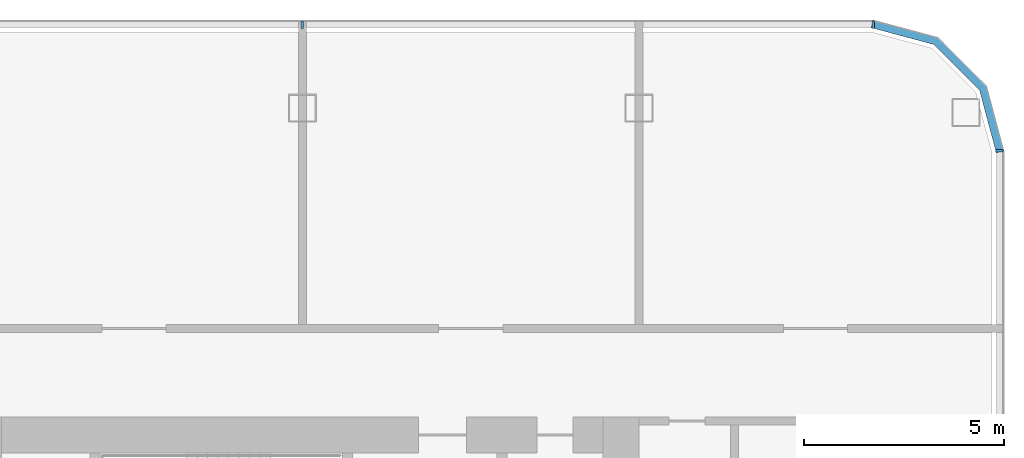
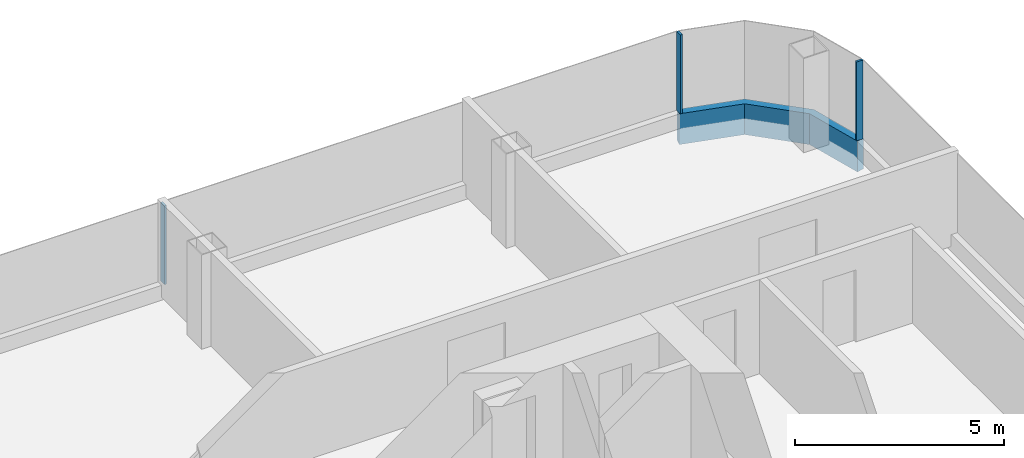
# One storey, part 10 of 26: 4 members, 3 elements without a shape of their own.
"""IFC4 building model written with IfcOpenShell, lengths in metres."""

from ifc_helpers import new_model, si_unit, direction, frame, origin, origin_2d, place, context, subcontext, project, spatial, polyline, rectangle, outline, extrude, material, layer, layer_set, material_profile, profile_set, type_object, element, aggregate, save


model = new_model("IFC4")

# Units and contexts
model_context = context("Model", 3, precision=1e-05, world=origin(), true_north=direction((0.0, 1.0)))
body_context = subcontext(model_context, "Body", "Model", "MODEL_VIEW")
ifc_project = project(units=[si_unit("LENGTHUNIT", "METRE"), si_unit("AREAUNIT", "SQUARE_METRE"), si_unit("VOLUMEUNIT", "CUBIC_METRE"), si_unit("PLANEANGLEUNIT", "RADIAN"), si_unit("MASSUNIT", "GRAM", prefix="KILO")], contexts=[model_context])

# Site, building, storey
site_placement = place(None, origin())
site = spatial("IfcSite", under=ifc_project, at=site_placement, CompositionType="ELEMENT")
building_placement = place(site_placement, origin())
building = spatial("IfcBuilding", under=site, at=building_placement, Name="Hakoniwa Tower and Hamabe Station Hall", CompositionType="ELEMENT")
storey_placement = place(building_placement, frame((0.0, 0.0, 140.60009765625)))
storey = spatial("IfcBuildingStorey", under=building, at=storey_placement, Name="L39", CompositionType="ELEMENT", Elevation=140.60009765625)

# Curtain wall, member
ifc_material_1 = material(Name="Dark low-e laminated glass", Category="glass")
ifc_layer = layer(ifc_material_1, 0.199951171875)
ifc_layer_set = layer_set([ifc_layer], Name="CW-1 UNITISED GUEST")
curtain_wall_type = type_object("IfcCurtainWallType", Name="CW-1 UNITISED GUEST", PredefinedType="NOTDEFINED", material=ifc_layer_set)
curtain_wall_1_placement = place(storey_placement, origin())
curtain_wall_1 = element("IfcCurtainWall", 1, at=curtain_wall_1_placement, inside=storey, type_object=curtain_wall_type, Name="CW-1 curtain wall", PredefinedType="NOTDEFINED")
ifc_material_2 = material(Name="Aluminium 6063-T5 black anodised", Category="aluminium")
ifc_material_profile_1 = material_profile(ifc_material_2, rectangle(XDim=0.199951171875, YDim=0.89990234375, at=origin_2d()), Name="CW SLAB-EDGE BAND 900X200")
ifc_profile_set_1 = profile_set([ifc_material_profile_1], Name="Aluminium 6063-T5 black anodised")
member_type_1 = type_object("IfcMemberType", Name="CW SLAB-EDGE BAND 900X200", PredefinedType="USERDEFINED", material=ifc_profile_set_1)
member_1_placement = place(storey_placement, frame((0.0, 0.0, -0.550048828125)))
member_1 = element("IfcMember", 2, at=member_1_placement, type_object=member_type_1, Name="CW-1 transom", ObjectType="TRANSOM", PredefinedType="USERDEFINED", context=body_context, shape_type="SweptSolid", body=[
    extrude(outline(polyline([(42.699951171875, 15.03955078125), (42.26708984375, 16.6552734375), (41.05517578125, 17.866943359375), (39.439453125, 18.300048828125), (39.3876953125, 18.10693359375), (40.95166015625, 17.687744140625), (42.087646484375, 16.5517578125), (42.5068359375, 14.98779296875), (42.699951171875, 15.03955078125)])), origin(), (0.0, 0.0, 1.0), 0.89990234375),
])
aggregate(curtain_wall_1, [member_1])

curtain_wall_2_placement = place(storey_placement, origin())
curtain_wall_2 = element("IfcCurtainWall", 3, at=curtain_wall_2_placement, inside=storey, type_object=curtain_wall_type, Name="CW-1 curtain wall", PredefinedType="NOTDEFINED")
ifc_material_3 = material(Name="Aluminium 6063-T5 black anodised", Category="aluminium")
ifc_material_profile_2 = material_profile(ifc_material_3, rectangle(XDim=0.06005859375, YDim=0.179931640625, at=origin_2d()), Name="CW-1 MULLION 60X180")
ifc_profile_set_2 = profile_set([ifc_material_profile_2], Name="Aluminium 6063-T5 black anodised")
member_type_2 = type_object("IfcMemberType", Name="CW-1 MULLION 60X180", PredefinedType="MULLION", material=ifc_profile_set_2)
member_2_placement = place(storey_placement, frame((42.58203125, 15.03955078125, 0.349853515625), z_axis=(0.0, 0.0, 1.0), x_axis=(0.0, 1.0, 0.0)))
member_2 = element("IfcMember", 4, at=member_2_placement, type_object=member_type_2, Name="CW-1 mullion", PredefinedType="MULLION", context=body_context, shape_type="SweptSolid", body=[
    extrude(rectangle(XDim=0.06005859375, YDim=0.179931640625, at=origin_2d()), origin(), (0.0, 0.0, 1.0), 2.300048828125),
])
aggregate(curtain_wall_2, [member_2])

# Curtain wall, members
curtain_wall_3_placement = place(storey_placement, origin())
curtain_wall_3 = element("IfcCurtainWall", 5, at=curtain_wall_3_placement, inside=storey, type_object=curtain_wall_type, Name="CW-1 curtain wall", PredefinedType="NOTDEFINED")
member_3_placement = place(storey_placement, frame((39.439453125, 18.181884765625, 0.349853515625), z_axis=(0.0, 0.0, 1.0), x_axis=(-1.0, 0.0, 0.0)))
member_3 = element("IfcMember", 6, at=member_3_placement, type_object=member_type_2, Name="CW-1 mullion", PredefinedType="MULLION", context=body_context, shape_type="SweptSolid", body=[
    extrude(rectangle(XDim=0.06005859375, YDim=0.179931640625, at=origin_2d()), origin(), (0.0, 0.0, 1.0), 2.300048828125),
])
member_4_placement = place(storey_placement, frame((25.199951171875, 18.181884765625, 0.349853515625), z_axis=(0.0, 0.0, 1.0), x_axis=(-1.0, 0.0, 0.0)))
member_4 = element("IfcMember", 7, at=member_4_placement, type_object=member_type_2, Name="CW-1 mullion", PredefinedType="MULLION", context=body_context, shape_type="SweptSolid", body=[
    extrude(rectangle(XDim=0.06005859375, YDim=0.179931640625, at=origin_2d()), origin(), (0.0, 0.0, 1.0), 2.300048828125),
])
aggregate(curtain_wall_3, [member_3, member_4])

save(model, "model.ifc")
